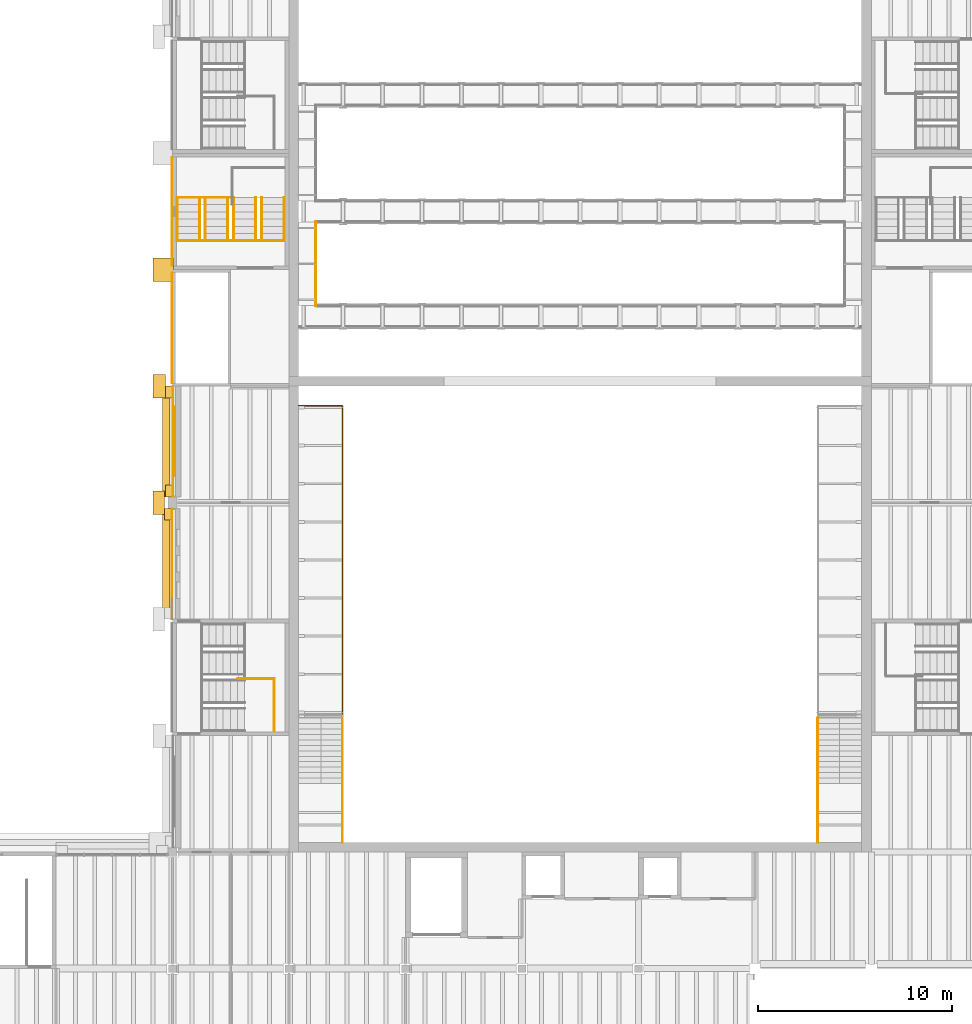
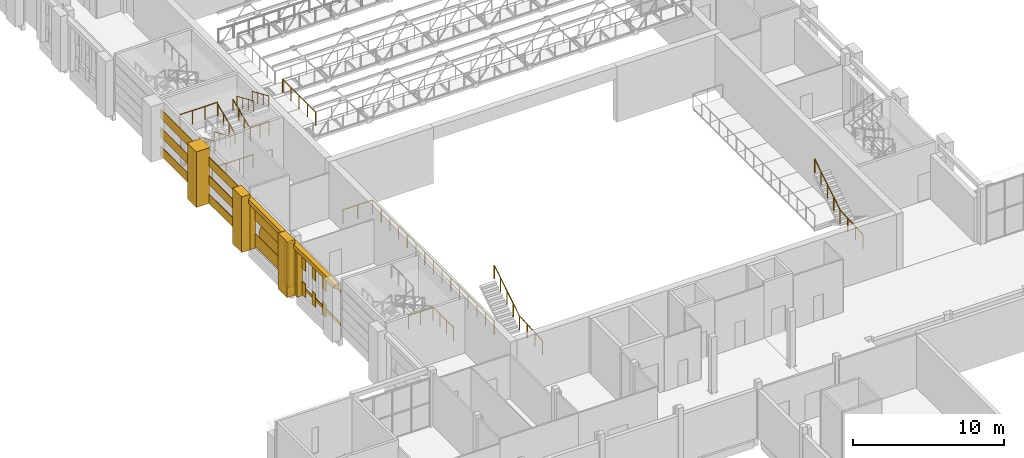
# One storey, part 56 of 70: 25 coverings, 18 railings.
"""IFC4 building model written with IfcOpenShell, lengths in metres."""

import ifcopenshell
import ifcopenshell.guid

model = None  # the IFC model being written
_history = None  # IfcOwnerHistory: only IFC2X3 demands one
_inside = {}  # id of a spatial element -> (the spatial element, [elements in it])
_under = {}  # id of a project, library or spatial element -> (it, [spatial elements below it])
_declared = {}  # id of a project -> (the project, [libraries it declares])
_typed = {}  # id of a type object -> (the type object, [elements of that type])
_made_of = {}  # id of a material, layer set ... -> (it, [elements and type objects made of it])


def new_model(schema):
    """Start an empty IFC model of exactly this schema.

    Asked for "IFC4X3", IfcOpenShell would pick the latest addendum, in which some entities
    have other attributes; the version numbers below select the first issue.
    IFC2X3 requires an IfcOwnerHistory on every rooted entity: one is made here for all.
    """
    global model, _history
    if schema == "IFC4X3":
        model = ifcopenshell.file(schema_version=(4, 3, 0, 0))
    else:
        model = ifcopenshell.file(schema=schema)
    _inside.clear()
    _under.clear()
    _declared.clear()
    _typed.clear()
    _made_of.clear()
    _history = None
    if model.schema == "IFC2X3":
        org = make("IfcOrganization", Name="unknown")
        user = make(
            "IfcPersonAndOrganization",
            ThePerson=make("IfcPerson", FamilyName="unknown"),
            TheOrganization=org,
        )
        app = make(
            "IfcApplication",
            ApplicationDeveloper=org,
            Version="unknown",
            ApplicationFullName="unknown",
            ApplicationIdentifier="unknown",
        )
        _history = make(
            "IfcOwnerHistory",
            OwningUser=user,
            OwningApplication=app,
            ChangeAction="ADDED",
            CreationDate=0,
        )
    return model


def make(cls, **values):
    """One entity of the class cls with the attributes given. An attribute that is None is left unset."""
    return model.create_entity(
        cls, **{name: value for name, value in values.items() if value is not None}
    )


def rooted(cls, **values):
    """An entity with a GlobalId (a new one), such as an element, a storey or a relation."""
    return make(cls, GlobalId=ifcopenshell.guid.new(), OwnerHistory=_history, **values)


def si_unit(unit_type, name, prefix=None):
    """IfcSIUnit, for example si_unit("LENGTHUNIT", "METRE", prefix="MILLI")."""
    return make("IfcSIUnit", UnitType=unit_type, Prefix=prefix, Name=name)


def assignment(units):
    """IfcUnitAssignment: the units of a project."""
    return None if units is None else make("IfcUnitAssignment", Units=units)


def point(xyz):
    """IfcCartesianPoint."""
    return None if xyz is None else make("IfcCartesianPoint", Coordinates=xyz)


def direction(xyz):
    """IfcDirection."""
    return None if xyz is None else make("IfcDirection", DirectionRatios=xyz)


def frame(location, z_axis=None, x_axis=None):
    """IfcAxis2Placement3D, a coordinate frame: its origin and axes. An axis left out is left unset."""
    return make(
        "IfcAxis2Placement3D",
        Location=point(location),
        Axis=direction(z_axis),
        RefDirection=direction(x_axis),
    )


def frame_2d(location, x_axis=None):
    """IfcAxis2Placement2D, a coordinate frame in the plane: its origin and x axis."""
    return make(
        "IfcAxis2Placement2D", Location=point(location), RefDirection=direction(x_axis)
    )


def origin():
    """The frame at (0, 0, 0) with its axes left unset."""
    return frame((0.0, 0.0, 0.0))


def origin_2d():
    """The frame at (0, 0) in the plane with its x axis left unset."""
    return frame_2d((0.0, 0.0))


def place(relative_to, where):
    """IfcLocalPlacement: puts the frame where relative to a parent placement (None: the world)."""
    return make(
        "IfcLocalPlacement", PlacementRelTo=relative_to, RelativePlacement=where
    )


def context(
    kind, dimensions, precision=None, world=None, true_north=None, identifier=None
):
    """IfcGeometricRepresentationContext, for example the 3D "Model" context."""
    return make(
        "IfcGeometricRepresentationContext",
        ContextIdentifier=identifier,
        ContextType=kind,
        CoordinateSpaceDimension=dimensions,
        Precision=precision,
        WorldCoordinateSystem=world,
        TrueNorth=true_north,
    )


def subcontext(parent, identifier, kind, view, scale=None):
    """IfcGeometricRepresentationSubContext, for example "Body" below "Model"."""
    return make(
        "IfcGeometricRepresentationSubContext",
        ContextIdentifier=identifier,
        ContextType=kind,
        ParentContext=parent,
        TargetScale=scale,
        TargetView=view,
    )


def project(units=None, contexts=None):
    """IfcProject with its units and contexts."""
    return rooted(
        "IfcProject",
        Name="project",
        RepresentationContexts=contexts,
        UnitsInContext=assignment(units),
    )


def spatial(cls, under=None, at=None, **own):
    """A site, building, storey or space (cls), placed at a placement, below another one or the project."""
    s = rooted(cls, ObjectPlacement=at, **own)
    if under is not None:
        _under.setdefault(under.id(), (under, []))[1].append(s)
    return s


def polyline(points):
    """IfcPolyline through the points."""
    return make("IfcPolyline", Points=[point(p) for p in points])


def profile(cls, at=None, kind="AREA", **sizes):
    """A parametric profile (cls). Its sizes go by their IFC names, for example OverallWidth=200.0."""
    return make(cls, ProfileType=kind, Position=at, **sizes)


def rectangle(**sizes):
    """IfcRectangleProfileDef."""
    return profile("IfcRectangleProfileDef", **sizes)


def circle(**sizes):
    """IfcCircleProfileDef."""
    return profile("IfcCircleProfileDef", **sizes)


def outline(outer, holes=None, kind="AREA"):
    """IfcArbitraryClosedProfileDef: a profile drawn as a closed curve; with holes, ...WithVoids."""
    if holes is None:
        return make("IfcArbitraryClosedProfileDef", ProfileType=kind, OuterCurve=outer)
    return make(
        "IfcArbitraryProfileDefWithVoids",
        ProfileType=kind,
        OuterCurve=outer,
        InnerCurves=holes,
    )


def extrude(swept, where, along, depth):
    """IfcExtrudedAreaSolid: the profile swept, set in the frame where, extruded along a direction by depth."""
    return make(
        "IfcExtrudedAreaSolid",
        SweptArea=swept,
        Position=where,
        ExtrudedDirection=direction(along),
        Depth=depth,
    )


def shape(context_of_items, identifier, shape_type, items):
    """IfcShapeRepresentation: the items that make up one representation, for example the "Body"."""
    return make(
        "IfcShapeRepresentation",
        ContextOfItems=context_of_items,
        RepresentationIdentifier=identifier,
        RepresentationType=shape_type,
        Items=items,
    )


def material(Name=None, Category=None):
    """IfcMaterial."""
    return make("IfcMaterial", Name=Name, Category=Category)


def layer(
    of_material, thickness, ventilated=None, Name=None, Category=None, Priority=None
):
    """IfcMaterialLayer: one layer of a wall or slab, of a material (None: an air gap)."""
    return make(
        "IfcMaterialLayer",
        Material=of_material,
        LayerThickness=thickness,
        IsVentilated=ventilated,
        Name=Name,
        Category=Category,
        Priority=Priority,
    )


def layer_set(layers, Name=None):
    """IfcMaterialLayerSet."""
    return make("IfcMaterialLayerSet", MaterialLayers=layers, LayerSetName=Name)


def made_of(thing, what):
    """Note that an element or type object is made of a material, layer set ...; save() writes the relation."""
    if what is not None:
        _made_of.setdefault(what.id(), (what, []))[1].append(thing)
    return thing


def type_object(cls, material=None, **own):
    """A type object (cls), such as IfcWallType, which elements share."""
    return made_of(rooted(cls, **own), material)


def element(
    cls,
    number,
    at=None,
    inside=None,
    cuts=None,
    type_object=None,
    material=None,
    context=None,
    identifier="Body",
    shape_type=None,
    held_by="IfcProductDefinitionShape",
    body=None,
    shapes=None,
    **own,
):
    """One element of the class cls, such as IfcWall. Its Tag is "e" and its number.

    at: its placement. inside: the storey or other place that contains it. cuts: it is an
    opening in that element (IfcRelVoidsElement). A single representation is given by context,
    identifier, shape_type and body (its items); several are given by shapes. held_by: the class
    of the entity that holds the representations. save() writes the other relations.
    """
    e = rooted(cls, Tag="e%d" % number, ObjectPlacement=at, **own)
    if body is not None:
        shapes = [shape(context, identifier, shape_type, body)]
    if shapes is not None:
        e.Representation = make(held_by, Representations=shapes)
    if inside is not None:
        _inside.setdefault(inside.id(), (inside, []))[1].append(e)
    if cuts is not None:
        rooted(
            "IfcRelVoidsElement", RelatingBuildingElement=cuts, RelatedOpeningElement=e
        )
    if type_object is not None:
        _typed.setdefault(type_object.id(), (type_object, []))[1].append(e)
    return made_of(e, material)


def aggregate(whole, parts):
    """IfcRelAggregates: a whole, such as a stair, and the parts it consists of."""
    return rooted("IfcRelAggregates", RelatingObject=whole, RelatedObjects=parts)


def save(model, path):
    """Write the relations noted so far, then the file.

    IfcRelAggregates (storeys below a building ...), IfcRelContainedInSpatialStructure (elements
    in a storey), IfcRelDefinesByType, IfcRelAssociatesMaterial and IfcRelDeclares: one each for
    every whole, place, type object, material and project.
    """
    for whole, parts in _under.values():
        aggregate(whole, parts)
    for where, things in _inside.values():
        rooted(
            "IfcRelContainedInSpatialStructure",
            RelatedElements=things,
            RelatingStructure=where,
        )
    for kind, things in _typed.values():
        rooted("IfcRelDefinesByType", RelatedObjects=things, RelatingType=kind)
    for what, things in _made_of.values():
        rooted("IfcRelAssociatesMaterial", RelatedObjects=things, RelatingMaterial=what)
    for by, libraries in _declared.values():
        rooted("IfcRelDeclares", RelatingContext=by, RelatedDefinitions=libraries)
    model.write(path)


model = new_model("IFC4")

# Units and contexts
model_context = context("Model", 3, precision=1e-05, world=origin(), true_north=direction((0.0, 1.0)))
body_context = subcontext(model_context, "Body", "Model", "MODEL_VIEW")
ifc_project = project(units=[si_unit("LENGTHUNIT", "METRE"), si_unit("AREAUNIT", "SQUARE_METRE"), si_unit("VOLUMEUNIT", "CUBIC_METRE"), si_unit("PLANEANGLEUNIT", "RADIAN"), si_unit("MASSUNIT", "GRAM", prefix="KILO")], contexts=[model_context])

# Site, building, storey
site_placement = place(None, origin())
site = spatial("IfcSite", under=ifc_project, at=site_placement, CompositionType="ELEMENT")
building_placement = place(site_placement, origin())
building = spatial("IfcBuilding", under=site, at=building_placement, Name="Saffron Lane Theatres", CompositionType="ELEMENT")
storey_placement = place(building_placement, frame((0.0, 0.0, 12.0)))
storey = spatial("IfcBuildingStorey", under=building, at=storey_placement, Name="L02", CompositionType="ELEMENT", Elevation=12.0)

# Coverings
ifc_material_1 = material(Name="Masonry pale clay brick", Category="masonry")
ifc_layer_1 = layer(ifc_material_1, 0.050048828125)
ifc_layer_set_1 = layer_set([ifc_layer_1], Name="Masonry pale clay brick")
covering_type_1 = type_object("IfcCoveringType", Name="EX-ARCH PANEL BRICK 50", PredefinedType="CLADDING", material=ifc_layer_set_1)
covering_1_placement = place(storey_placement, frame((12.10009765625, 49.35009765625, 1.199951171875), z_axis=(1.0, 0.0, 0.0), x_axis=(0.0, 0.0, -1.0)))
element("IfcCovering", 1, at=covering_1_placement, inside=storey, type_object=covering_type_1, Name="Blind arch panel 12", PredefinedType="CLADDING", context=body_context, shape_type="SweptSolid", body=[
    extrude(outline(polyline([(0.0, 0.0), (0.89990234375, 0.0), (0.89990234375, 3.599853515625), (0.0, 3.599853515625), (-0.28515625, 3.577880859375), (-0.56201171875, 3.512939453125), (-0.8271484375, 3.40478515625), (-1.071044921875, 3.2578125), (-1.291015625, 3.075927734375), (-1.47900390625, 2.86181640625), (-1.633056640625, 2.620849609375), (-1.7470703125, 2.35986328125), (-1.820068359375, 2.083984375), (-1.85009765625, 1.7998046875), (-1.820068359375, 1.515869140625), (-1.7470703125, 1.239990234375), (-1.633056640625, 0.97900390625), (-1.47900390625, 0.73779296875), (-1.291015625, 0.52392578125), (-1.071044921875, 0.341796875), (-0.8271484375, 0.19482421875), (-0.56201171875, 0.0869140625), (-0.28515625, 0.02197265625), (0.0, 0.0)])), origin(), (0.0, 0.0, -1.0), 0.050048828125),
])
ifc_material_2 = material(Name="Masonry sandstone", Category="masonry")
ifc_layer_2 = layer(ifc_material_2, 0.0400390625)
ifc_layer_set_2 = layer_set([ifc_layer_2], Name="Masonry sandstone")
covering_type_2 = type_object("IfcCoveringType", Name="EX-BANDING COURSE SANDSTONE 40", PredefinedType="CLADDING", material=ifc_layer_set_2)
for number, where, z_axis, x_axis, name in (
    (2, (11.97998046875, 63.0, 0.0), (0.0, 0.0, 1.0), (0.0, 1.0, 0.0), "Banding course L02"),
    (3, (11.97998046875, 63.0, 1.5), (0.0, 0.0, 1.0), (0.0, 1.0, 0.0), "Banding course L02"),
    (4, (11.97998046875, 63.0, 3.0), (0.0, 0.0, 1.0), (0.0, 1.0, 0.0), "Banding course L02"),
):
    element("IfcCovering", number, at=place(storey_placement, frame(where, z_axis=z_axis, x_axis=x_axis)), inside=storey, type_object=covering_type_2, Name=name, PredefinedType="CLADDING", context=body_context, shape_type="SweptSolid", body=[
        extrude(rectangle(XDim=5.60009765625, YDim=0.0400390625, at=origin_2d()), origin(), (0.0, 0.0, 1.0), 0.75),
    ])
for number, where, z_axis, x_axis, name in (
    (5, (11.97998046875, 57.0, 0.0), (0.0, 0.0, 1.0), (0.0, 1.0, 0.0), "Banding course L02"),
    (6, (11.97998046875, 57.0, 1.5), (0.0, 0.0, 1.0), (0.0, 1.0, 0.0), "Banding course L02"),
    (7, (11.97998046875, 57.0, 3.0), (0.0, 0.0, 1.0), (0.0, 1.0, 0.0), "Banding course L02"),
):
    element("IfcCovering", number, at=place(storey_placement, frame(where, z_axis=z_axis, x_axis=x_axis)), inside=storey, type_object=covering_type_2, Name=name, PredefinedType="CLADDING", context=body_context, shape_type="SweptSolid", body=[
        extrude(rectangle(XDim=5.699951171875, YDim=0.0400390625, at=origin_2d()), origin(), (0.0, 0.0, 1.0), 0.75),
    ])
ifc_material_3 = material(Name="Face brick cladding, pale buff", Category="masonry")
ifc_layer_3 = layer(ifc_material_3, 0.0400390625)
ifc_layer_set_3 = layer_set([ifc_layer_3], Name="Face brick cladding, pale buff")
covering_type_3 = type_object("IfcCoveringType", Name="EX-FACE BRICK CLADDING PALE BUFF 40", PredefinedType="CLADDING", material=ifc_layer_set_3)
for number, where, z_axis, x_axis, name in (
    (8, (11.97998046875, 44.175048828125, 0.14990234375), (0.0, 0.0, 1.0), (0.0, 1.0, 0.0), "Cladding course L02"),
    (9, (11.97998046875, 45.52490234375, 0.14990234375), (0.0, 0.0, 1.0), (0.0, 1.0, 0.0), "Cladding course L02"),
):
    element("IfcCovering", number, at=place(storey_placement, frame(where, z_axis=z_axis, x_axis=x_axis)), inside=storey, type_object=covering_type_3, Name=name, PredefinedType="CLADDING", context=body_context, shape_type="SweptSolid", body=[
        extrude(rectangle(XDim=0.4599609375, YDim=0.0400390625, at=origin_2d()), origin(), (0.0, 0.0, 1.0), 1.050048828125),
    ])
covering_2_placement = place(storey_placement, frame((11.97998046875, 47.172119140625, 0.14990234375), z_axis=(0.0, 0.0, 1.0), x_axis=(0.0, 1.0, 0.0)))
element("IfcCovering", 10, at=covering_2_placement, inside=storey, type_object=covering_type_3, Name="Cladding course L02", PredefinedType="CLADDING", context=body_context, shape_type="SweptSolid", body=[
    extrude(rectangle(XDim=1.054931640625, YDim=0.0400390625, at=origin_2d()), origin(), (0.0, 0.0, 1.0), 1.050048828125),
])
for number, where, z_axis, x_axis, name in (
    (11, (11.97998046875, 44.175048828125, 2.25), (0.0, 0.0, 1.0), (0.0, 1.0, 0.0), "Cladding course L02"),
    (12, (11.97998046875, 45.52490234375, 2.25), (0.0, 0.0, 1.0), (0.0, 1.0, 0.0), "Cladding course L02"),
):
    element("IfcCovering", number, at=place(storey_placement, frame(where, z_axis=z_axis, x_axis=x_axis)), inside=storey, type_object=covering_type_3, Name=name, PredefinedType="CLADDING", context=body_context, shape_type="SweptSolid", body=[
        extrude(rectangle(XDim=0.4599609375, YDim=0.0400390625, at=origin_2d()), origin(), (0.0, 0.0, 1.0), 1.050048828125),
    ])
covering_3_placement = place(storey_placement, frame((11.97998046875, 47.172119140625, 2.25), z_axis=(0.0, 0.0, 1.0), x_axis=(0.0, 1.0, 0.0)))
element("IfcCovering", 13, at=covering_3_placement, inside=storey, type_object=covering_type_3, Name="Cladding course L02", PredefinedType="CLADDING", context=body_context, shape_type="SweptSolid", body=[
    extrude(rectangle(XDim=1.054931640625, YDim=0.0400390625, at=origin_2d()), origin(), (0.0, 0.0, 1.0), 1.050048828125),
])
for number, where, z_axis, x_axis, name in (
    (14, (12.030029296875, 51.14990234375, 0.14990234375), (0.0, 0.0, 1.0), (0.0, 1.0, 0.0), "Cladding course L02"),
    (15, (12.030029296875, 51.14990234375, 2.25), (0.0, 0.0, 1.0), (0.0, 1.0, 0.0), "Cladding course L02"),
):
    element("IfcCovering", number, at=place(storey_placement, frame(where, z_axis=z_axis, x_axis=x_axis)), inside=storey, type_object=covering_type_3, Name=name, PredefinedType="CLADDING", context=body_context, shape_type="SweptSolid", body=[
        extrude(rectangle(XDim=5.699951171875, YDim=0.0400390625, at=origin_2d()), origin(), (0.0, 0.0, 1.0), 1.050048828125),
    ])
ifc_material_4 = material(Name="Masonry sandstone", Category="masonry")
ifc_layer_4 = layer(ifc_material_4, 1.199951171875)
ifc_layer_set_4 = layer_set([ifc_layer_4], Name="Masonry sandstone")
covering_type_4 = type_object("IfcCoveringType", Name="EX-FLANK BUTTRESS PIER SANDSTONE 1200", PredefinedType="CLADDING", material=ifc_layer_set_4)
covering_4_placement = place(storey_placement, frame((11.300048828125, 48.0, 0.0), z_axis=(0.0, 0.0, 1.0), x_axis=(0.0, 1.0, 0.0)))
element("IfcCovering", 16, at=covering_4_placement, inside=storey, type_object=covering_type_4, Name="Flank buttress west L02", PredefinedType="CLADDING", context=body_context, shape_type="SweptSolid", body=[
    extrude(rectangle(XDim=1.199951171875, YDim=0.60009765625, at=origin_2d()), origin(), (0.0, 0.0, 1.0), 4.5),
])
covering_5_placement = place(storey_placement, frame((11.324951171875, 54.0, 0.0), z_axis=(0.0, 0.0, 1.0), x_axis=(0.0, 1.0, 0.0)))
element("IfcCovering", 17, at=covering_5_placement, inside=storey, type_object=covering_type_4, Name="Flank buttress west L02", PredefinedType="CLADDING", context=body_context, shape_type="SweptSolid", body=[
    extrude(rectangle(XDim=1.199951171875, YDim=0.64990234375, at=origin_2d()), origin(), (0.0, 0.0, 1.0), 4.5),
])
covering_6_placement = place(storey_placement, frame((11.52490234375, 60.0, 0.0), z_axis=(0.0, 0.0, 1.0), x_axis=(0.0, 1.0, 0.0)))
element("IfcCovering", 18, at=covering_6_placement, inside=storey, type_object=covering_type_4, Name="Flank buttress west L02", PredefinedType="CLADDING", context=body_context, shape_type="SweptSolid", body=[
    extrude(rectangle(XDim=1.199951171875, YDim=1.050048828125, at=origin_2d()), origin(), (0.0, 0.0, 1.0), 4.5),
])
ifc_material_5 = material(Name="Masonry sandstone", Category="masonry")
ifc_layer_5 = layer(ifc_material_5, 0.0400390625)
ifc_layer_set_5 = layer_set([ifc_layer_5], Name="Masonry sandstone")
covering_type_5 = type_object("IfcCoveringType", Name="EX-HEAD COURSE SANDSTONE 150", PredefinedType="CLADDING", material=ifc_layer_set_5)
covering_7_placement = place(storey_placement, frame((11.97998046875, 44.85009765625, 3.35009765625), z_axis=(0.0, 0.0, 1.0), x_axis=(0.0, 1.0, 0.0)))
element("IfcCovering", 19, at=covering_7_placement, inside=storey, type_object=covering_type_5, Name="Facade head course L02", PredefinedType="CLADDING", context=body_context, shape_type="SweptSolid", body=[
    extrude(rectangle(XDim=5.699951171875, YDim=0.0400390625, at=origin_2d()), origin(), (0.0, 0.0, 1.0), 0.14990234375),
])
ifc_material_6 = material(Name="Masonry sandstone", Category="masonry")
ifc_layer_6 = layer(ifc_material_6, 0.39990234375)
ifc_layer_set_6 = layer_set([ifc_layer_6], Name="Masonry sandstone")
covering_type_6 = type_object("IfcCoveringType", Name="EX-PILASTER PIER SANDSTONE 400", PredefinedType="CLADDING", material=ifc_layer_set_6)
for number, where, z_axis, x_axis, name in (
    (20, (11.800048828125, 47.39990234375, 0.0), (0.0, 0.0, 1.0), (0.0, 1.0, 0.0), "Pilaster pier L02"),
    (21, (11.85009765625, 48.60009765625, 0.0), (0.0, 0.0, 1.0), (0.0, 1.0, 0.0), "Pilaster pier L02"),
    (22, (11.85009765625, 53.699951171875, 0.0), (0.0, 0.0, 1.0), (0.0, 1.0, 0.0), "Pilaster pier L02"),
):
    element("IfcCovering", number, at=place(storey_placement, frame(where, z_axis=z_axis, x_axis=x_axis)), inside=storey, type_object=covering_type_6, Name=name, PredefinedType="CLADDING", context=body_context, shape_type="SweptSolid", body=[
        extrude(rectangle(XDim=0.60009765625, YDim=0.39990234375, at=origin_2d()), origin(), (0.0, 0.0, 1.0), 3.550048828125),
    ])
ifc_material_7 = material(Name="Masonry sandstone", Category="masonry")
ifc_layer_7 = layer(ifc_material_7, 0.0400390625)
ifc_layer_set_7 = layer_set([ifc_layer_7], Name="Masonry sandstone")
covering_type_7 = type_object("IfcCoveringType", Name="EX-SILL COURSE SANDSTONE 250", PredefinedType="CLADDING", material=ifc_layer_set_7)
covering_8_placement = place(storey_placement, frame((11.97998046875, 44.85009765625, 0.64990234375), z_axis=(0.0, 0.0, 1.0), x_axis=(0.0, 1.0, 0.0)))
element("IfcCovering", 23, at=covering_8_placement, inside=storey, type_object=covering_type_7, Name="Facade sill course L02", PredefinedType="CLADDING", context=body_context, shape_type="SweptSolid", body=[
    extrude(rectangle(XDim=5.699951171875, YDim=0.0400390625, at=origin_2d()), origin(), (0.0, 0.0, 1.0), 0.25),
])
ifc_material_8 = material(Name="Masonry sandstone", Category="masonry")
ifc_layer_8 = layer(ifc_material_8, 0.300048828125)
ifc_layer_set_8 = layer_set([ifc_layer_8], Name="Masonry sandstone")
covering_type_8 = type_object("IfcCoveringType", Name="EX-STRING COURSE SANDSTONE 350", PredefinedType="CLADDING", material=ifc_layer_set_8)
for number, where, z_axis, x_axis, name in (
    (24, (11.675048828125, 44.85009765625, 3.800048828125), (0.0, 0.0, 1.0), (0.0, 1.0, 0.0), "String course L02"),
    (25, (11.675048828125, 51.14990234375, 3.800048828125), (0.0, 0.0, 1.0), (0.0, 1.0, 0.0), "String course L02"),
):
    element("IfcCovering", number, at=place(storey_placement, frame(where, z_axis=z_axis, x_axis=x_axis)), inside=storey, type_object=covering_type_8, Name=name, PredefinedType="CLADDING", context=body_context, shape_type="SweptSolid", body=[
        extrude(rectangle(XDim=5.699951171875, YDim=0.35009765625, at=origin_2d()), origin(), (0.0, 0.0, 1.0), 0.35009765625),
    ])

# Railings
ifc_material_9 = material(Name="Steel Grade 350", Category="steel")
railing_type_1 = type_object("IfcRailingType", Name="VC-GUARD 1100", PredefinedType="GUARDRAIL", material=ifc_material_9)
railing_1_placement = place(storey_placement, frame((12.22998046875, 63.719970703125, 3.375)))
element("IfcRailing", 26, at=railing_1_placement, inside=storey, type_object=railing_type_1, Name="Auditorium West Front Stair landing guard 3N2s", PredefinedType="GUARDRAIL", context=body_context, shape_type="SweptSolid", body=[
    extrude(circle(Radius=0.02392578125, at=origin_2d()), frame((0.0, 0.0, 1.076171875), z_axis=(1.0, 0.0, 0.0), x_axis=(0.0, 1.0, 0.0)), (0.0, 0.0, 1.0), 2.8701171875),
    extrude(circle(Radius=0.02099609375, at=origin_2d()), origin(), (0.0, 0.0, 1.0), 1.052001953125),
    extrude(circle(Radius=0.02099609375, at=origin_2d()), frame((0.956787109375, 0.0, 0.0)), (0.0, 0.0, 1.0), 1.052001953125),
    extrude(circle(Radius=0.02099609375, at=origin_2d()), frame((1.913330078125, 0.0, 0.0)), (0.0, 0.0, 1.0), 1.052001953125),
    extrude(circle(Radius=0.02099609375, at=origin_2d()), frame((2.8701171875, 0.0, 0.0)), (0.0, 0.0, 1.0), 1.052001953125),
])
railing_2_placement = place(storey_placement, frame((12.22998046875, 61.5, 2.25)))
element("IfcRailing", 27, at=railing_2_placement, inside=storey, type_object=railing_type_1, Name="Auditorium West Front Stair landing guard 3S2w", PredefinedType="GUARDRAIL", context=body_context, shape_type="SweptSolid", body=[
    extrude(circle(Radius=0.02392578125, at=origin_2d()), frame((0.0, 0.0, 1.076171875), z_axis=(1.0, 0.0, 0.0), x_axis=(0.0, 1.0, 0.0)), (0.0, 0.0, 1.0), 1.320068359375),
    extrude(circle(Radius=0.02099609375, at=origin_2d()), origin(), (0.0, 0.0, 1.0), 1.052001953125),
    extrude(circle(Radius=0.02099609375, at=origin_2d()), frame((0.66015625, 0.0, 0.0)), (0.0, 0.0, 1.0), 1.052001953125),
    extrude(circle(Radius=0.02099609375, at=origin_2d()), frame((1.320068359375, 0.0, 0.0)), (0.0, 0.0, 1.0), 1.052001953125),
])
railing_3_placement = place(storey_placement, frame((16.35009765625, 61.5, 2.25)))
element("IfcRailing", 28, at=railing_3_placement, inside=storey, type_object=railing_type_1, Name="Auditorium West Front Stair landing guard 3S2e", PredefinedType="GUARDRAIL", context=body_context, shape_type="SweptSolid", body=[
    extrude(circle(Radius=0.02392578125, at=origin_2d()), frame((0.0, 0.0, 1.076171875), z_axis=(1.0, 0.0, 0.0), x_axis=(0.0, 1.0, 0.0)), (0.0, 0.0, 1.0), 1.419921875),
    extrude(circle(Radius=0.02099609375, at=origin_2d()), origin(), (0.0, 0.0, 1.0), 1.052001953125),
    extrude(circle(Radius=0.02099609375, at=origin_2d()), frame((0.7099609375, 0.0, 0.0)), (0.0, 0.0, 1.0), 1.052001953125),
    extrude(circle(Radius=0.02099609375, at=origin_2d()), frame((1.419921875, 0.0, 0.0)), (0.0, 0.0, 1.0), 1.052001953125),
])
railing_4_placement = place(storey_placement, frame((13.449951171875, 61.5, 0.0)))
element("IfcRailing", 29, at=railing_4_placement, inside=storey, type_object=railing_type_1, Name="Auditorium West Front Stair guard L02", PredefinedType="GUARDRAIL", context=body_context, shape_type="SweptSolid", body=[
    extrude(circle(Radius=0.02392578125, at=origin_2d()), frame((0.0, 0.0, 1.076171875), z_axis=(1.0, 0.0, 0.0), x_axis=(0.0, 1.0, 0.0)), (0.0, 0.0, 1.0), 3.10009765625),
    extrude(circle(Radius=0.02099609375, at=origin_2d()), origin(), (0.0, 0.0, 1.0), 1.052001953125),
    extrude(circle(Radius=0.02099609375, at=origin_2d()), frame((1.033447265625, 0.0, 0.0)), (0.0, 0.0, 1.0), 1.052001953125),
    extrude(circle(Radius=0.02099609375, at=origin_2d()), frame((2.066650390625, 0.0, 0.0)), (0.0, 0.0, 1.0), 1.052001953125),
    extrude(circle(Radius=0.02099609375, at=origin_2d()), frame((3.10009765625, 0.0, 0.0)), (0.0, 0.0, 1.0), 1.052001953125),
])
railing_5_placement = place(storey_placement, frame((17.25, 38.89990234375, 1.125)))
element("IfcRailing", 30, at=railing_5_placement, inside=storey, type_object=railing_type_1, Name="Stage West Stair landing guard 3N1s", PredefinedType="GUARDRAIL", context=body_context, shape_type="SweptSolid", body=[
    extrude(circle(Radius=0.02392578125, at=origin_2d()), frame((0.0, 0.0, 1.076171875), z_axis=(0.0, -1.0, 0.0), x_axis=(1.0, 0.0, 0.0)), (0.0, 0.0, 1.0), 2.669921875),
    extrude(circle(Radius=0.02099609375, at=origin_2d()), origin(), (0.0, 0.0, 1.0), 1.052001953125),
    extrude(circle(Radius=0.02099609375, at=origin_2d()), frame((0.0, -0.889892578125, 0.0)), (0.0, 0.0, 1.0), 1.052001953125),
    extrude(circle(Radius=0.02099609375, at=origin_2d()), frame((0.0, -1.780029296875, 0.0)), (0.0, 0.0, 1.0), 1.052001953125),
    extrude(circle(Radius=0.02099609375, at=origin_2d()), frame((0.0, -2.669921875, 0.0)), (0.0, 0.0, 1.0), 1.052001953125),
])
railing_6_placement = place(storey_placement, frame((15.3701171875, 38.929931640625, 1.125)))
element("IfcRailing", 31, at=railing_6_placement, inside=storey, type_object=railing_type_1, Name="Stage West Stair landing guard 3N1e", PredefinedType="GUARDRAIL", context=body_context, shape_type="SweptSolid", body=[
    extrude(circle(Radius=0.02392578125, at=origin_2d()), frame((0.0, 0.0, 1.076171875), z_axis=(1.0, 0.0, 0.0), x_axis=(0.0, 1.0, 0.0)), (0.0, 0.0, 1.0), 1.8798828125),
    extrude(circle(Radius=0.02099609375, at=origin_2d()), origin(), (0.0, 0.0, 1.0), 1.052001953125),
    extrude(circle(Radius=0.02099609375, at=origin_2d()), frame((0.93994140625, 0.0, 0.0)), (0.0, 0.0, 1.0), 1.052001953125),
    extrude(circle(Radius=0.02099609375, at=origin_2d()), frame((1.8798828125, 0.0, 0.0)), (0.0, 0.0, 1.0), 1.052001953125),
])
ifc_material_10 = material(Name="Steel Grade 350", Category="steel")
railing_type_2 = type_object("IfcRailingType", Name="VC-HANDRAIL 900", PredefinedType="HANDRAIL", material=ifc_material_10)
for number, where, name in (
    (32, (12.25, 61.5, 0.16064453125), "Auditorium West Front Stair handrail 3.1a"),
    (33, (13.39990234375, 61.5, 0.16064453125), "Auditorium West Front Stair handrail 3.1b"),
):
    element("IfcRailing", number, at=place(storey_placement, frame(where)), inside=storey, type_object=railing_type_2, Name=name, PredefinedType="HANDRAIL", context=body_context, shape_type="SweptSolid", body=[
        extrude(circle(Radius=0.02392578125, at=origin_2d()), frame((0.0, 0.0, 0.8759765625), z_axis=(0.0, 0.917161435653, 0.398515872898), x_axis=(-1.0, 0.0, 0.0)), (0.0, 0.0, 1.0), 0.806884765625),
        extrude(circle(Radius=0.02392578125, at=origin_2d()), frame((0.0, 0.739990234375, 1.197265625), z_axis=(0.0, 0.917272012673, 0.398261289567), x_axis=(-1.0, 0.0, 0.0)), (0.0, 0.0, 1.0), 0.806640625),
        extrude(circle(Radius=0.02392578125, at=origin_2d()), frame((0.0, 1.47998046875, 1.5185546875), z_axis=(0.0, 0.917161435653, 0.398515872898), x_axis=(-1.0, 0.0, 0.0)), (0.0, 0.0, 1.0), 0.806884765625),
        extrude(circle(Radius=0.02099609375, at=origin_2d()), origin(), (0.0, 0.0, 1.0), 0.851806640625),
        extrude(circle(Radius=0.02099609375, at=origin_2d()), frame((0.0, 0.739990234375, 0.321533203125)), (0.0, 0.0, 1.0), 0.851806640625),
        extrude(circle(Radius=0.02099609375, at=origin_2d()), frame((0.0, 1.47998046875, 0.642822265625)), (0.0, 0.0, 1.0), 0.851806640625),
        extrude(circle(Radius=0.02099609375, at=origin_2d()), frame((0.0, 2.219970703125, 0.96435546875)), (0.0, 0.0, 1.0), 0.851806640625),
    ])
for number, where, name in (
    (34, (13.699951171875, 63.719970703125, 1.28564453125), "Auditorium West Front Stair handrail 3.2a"),
    (35, (14.85009765625, 63.719970703125, 1.28564453125), "Auditorium West Front Stair handrail 3.2b"),
):
    element("IfcRailing", number, at=place(storey_placement, frame(where)), inside=storey, type_object=railing_type_2, Name=name, PredefinedType="HANDRAIL", context=body_context, shape_type="SweptSolid", body=[
        extrude(circle(Radius=0.02392578125, at=origin_2d()), frame((0.0, 0.0, 0.8759765625), z_axis=(0.0, -0.917161435653, 0.398515872898), x_axis=(1.0, 0.0, 0.0)), (0.0, 0.0, 1.0), 0.806884765625),
        extrude(circle(Radius=0.02392578125, at=origin_2d()), frame((0.0, -0.739990234375, 1.197265625), z_axis=(0.0, -0.917272012673, 0.398261289567), x_axis=(1.0, 0.0, 0.0)), (0.0, 0.0, 1.0), 0.806640625),
        extrude(circle(Radius=0.02392578125, at=origin_2d()), frame((0.0, -1.47998046875, 1.5185546875), z_axis=(0.0, -0.917161435653, 0.398515872898), x_axis=(1.0, 0.0, 0.0)), (0.0, 0.0, 1.0), 0.806884765625),
        extrude(circle(Radius=0.02099609375, at=origin_2d()), origin(), (0.0, 0.0, 1.0), 0.851806640625),
        extrude(circle(Radius=0.02099609375, at=origin_2d()), frame((0.0, -0.739990234375, 0.321533203125)), (0.0, 0.0, 1.0), 0.851806640625),
        extrude(circle(Radius=0.02099609375, at=origin_2d()), frame((0.0, -1.47998046875, 0.642822265625)), (0.0, 0.0, 1.0), 0.851806640625),
        extrude(circle(Radius=0.02099609375, at=origin_2d()), frame((0.0, -2.219970703125, 0.96435546875)), (0.0, 0.0, 1.0), 0.851806640625),
    ])
for number, where, name in (
    (36, (15.14990234375, 61.5, 2.41064453125), "Auditorium West Front Stair handrail 3.3a"),
    (37, (16.300048828125, 61.5, 2.41064453125), "Auditorium West Front Stair handrail 3.3b"),
):
    element("IfcRailing", number, at=place(storey_placement, frame(where)), inside=storey, type_object=railing_type_2, Name=name, PredefinedType="HANDRAIL", context=body_context, shape_type="SweptSolid", body=[
        extrude(circle(Radius=0.02392578125, at=origin_2d()), frame((0.0, 0.0, 0.8759765625), z_axis=(0.0, 0.917161435653, 0.398515872898), x_axis=(-1.0, 0.0, 0.0)), (0.0, 0.0, 1.0), 0.806884765625),
        extrude(circle(Radius=0.02392578125, at=origin_2d()), frame((0.0, 0.739990234375, 1.197265625), z_axis=(0.0, 0.917272012673, 0.398261289567), x_axis=(-1.0, 0.0, 0.0)), (0.0, 0.0, 1.0), 0.806640625),
        extrude(circle(Radius=0.02392578125, at=origin_2d()), frame((0.0, 1.47998046875, 1.5185546875), z_axis=(0.0, 0.917161435653, 0.398515872898), x_axis=(-1.0, 0.0, 0.0)), (0.0, 0.0, 1.0), 0.806884765625),
        extrude(circle(Radius=0.02099609375, at=origin_2d()), origin(), (0.0, 0.0, 1.0), 0.851806640625),
        extrude(circle(Radius=0.02099609375, at=origin_2d()), frame((0.0, 0.739990234375, 0.321533203125)), (0.0, 0.0, 1.0), 0.851806640625),
        extrude(circle(Radius=0.02099609375, at=origin_2d()), frame((0.0, 1.47998046875, 0.642822265625)), (0.0, 0.0, 1.0), 0.851806640625),
        extrude(circle(Radius=0.02099609375, at=origin_2d()), frame((0.0, 2.219970703125, 0.96435546875)), (0.0, 0.0, 1.0), 0.851806640625),
    ])
for number, where, name in (
    (38, (16.60009765625, 63.719970703125, 3.53564453125), "Auditorium West Front Stair handrail 3.4a"),
    (39, (17.75, 63.719970703125, 3.53564453125), "Auditorium West Front Stair handrail 3.4b"),
):
    element("IfcRailing", number, at=place(storey_placement, frame(where)), inside=storey, type_object=railing_type_2, Name=name, PredefinedType="HANDRAIL", context=body_context, shape_type="SweptSolid", body=[
        extrude(circle(Radius=0.02392578125, at=origin_2d()), frame((0.0, 0.0, 0.8759765625), z_axis=(0.0, -0.917161435653, 0.398515872898), x_axis=(1.0, 0.0, 0.0)), (0.0, 0.0, 1.0), 0.806884765625),
        extrude(circle(Radius=0.02392578125, at=origin_2d()), frame((0.0, -0.739990234375, 1.197265625), z_axis=(0.0, -0.917272012673, 0.398261289567), x_axis=(1.0, 0.0, 0.0)), (0.0, 0.0, 1.0), 0.806640625),
        extrude(circle(Radius=0.02392578125, at=origin_2d()), frame((0.0, -1.47998046875, 1.5185546875), z_axis=(0.0, -0.917161435653, 0.398515872898), x_axis=(1.0, 0.0, 0.0)), (0.0, 0.0, 1.0), 0.806884765625),
        extrude(circle(Radius=0.02099609375, at=origin_2d()), origin(), (0.0, 0.0, 1.0), 0.851806640625),
        extrude(circle(Radius=0.02099609375, at=origin_2d()), frame((0.0, -0.739990234375, 0.321533203125)), (0.0, 0.0, 1.0), 0.851806640625),
        extrude(circle(Radius=0.02099609375, at=origin_2d()), frame((0.0, -1.47998046875, 0.642822265625)), (0.0, 0.0, 1.0), 0.851806640625),
        extrude(circle(Radius=0.02099609375, at=origin_2d()), frame((0.0, -2.219970703125, 0.96435546875)), (0.0, 0.0, 1.0), 0.851806640625),
    ])
railing_7_placement = place(storey_placement, frame((20.760009765625, 36.89990234375, 0.0)))
element("IfcRailing", 40, at=railing_7_placement, inside=storey, Name="FRW12", PredefinedType="GUARDRAIL", context=body_context, shape_type="SweptSolid", body=[
    extrude(circle(Radius=0.02392578125, at=origin_2d()), frame((0.0, 0.0, 1.076171875), z_axis=(0.0, 1.0, 0.0), x_axis=(-1.0, 0.0, 0.0)), (0.0, 0.0, 1.0), 16.10009765625),
    extrude(circle(Radius=0.02392578125, at=origin_2d()), frame((0.0, 16.10009765625, 1.076171875), z_axis=(-1.0, 0.0, 0.0), x_axis=(0.0, -1.0, 0.0)), (0.0, 0.0, 1.0), 2.260009765625),
    extrude(circle(Radius=0.02099609375, at=origin_2d()), origin(), (0.0, 0.0, 1.0), 1.052001953125),
    extrude(circle(Radius=0.02099609375, at=origin_2d()), frame((0.0, 1.14990234375, 0.0)), (0.0, 0.0, 1.0), 1.052001953125),
    extrude(circle(Radius=0.02099609375, at=origin_2d()), frame((0.0, 2.300048828125, 0.0)), (0.0, 0.0, 1.0), 1.052001953125),
    extrude(circle(Radius=0.02099609375, at=origin_2d()), frame((0.0, 3.449951171875, 0.0)), (0.0, 0.0, 1.0), 1.052001953125),
    extrude(circle(Radius=0.02099609375, at=origin_2d()), frame((0.0, 4.60009765625, 0.0)), (0.0, 0.0, 1.0), 1.052001953125),
    extrude(circle(Radius=0.02099609375, at=origin_2d()), frame((0.0, 5.75, 0.0)), (0.0, 0.0, 1.0), 1.052001953125),
    extrude(circle(Radius=0.02099609375, at=origin_2d()), frame((0.0, 6.900146484375, 0.0)), (0.0, 0.0, 1.0), 1.052001953125),
    extrude(circle(Radius=0.02099609375, at=origin_2d()), frame((0.0, 8.050048828125, 0.0)), (0.0, 0.0, 1.0), 1.052001953125),
    extrude(circle(Radius=0.02099609375, at=origin_2d()), frame((0.0, 9.199951171875, 0.0)), (0.0, 0.0, 1.0), 1.052001953125),
    extrude(circle(Radius=0.02099609375, at=origin_2d()), frame((0.0, 10.35009765625, 0.0)), (0.0, 0.0, 1.0), 1.052001953125),
    extrude(circle(Radius=0.02099609375, at=origin_2d()), frame((0.0, 11.5, 0.0)), (0.0, 0.0, 1.0), 1.052001953125),
    extrude(circle(Radius=0.02099609375, at=origin_2d()), frame((0.0, 12.650146484375, 0.0)), (0.0, 0.0, 1.0), 1.052001953125),
    extrude(circle(Radius=0.02099609375, at=origin_2d()), frame((0.0, 13.800048828125, 0.0)), (0.0, 0.0, 1.0), 1.052001953125),
    extrude(circle(Radius=0.02099609375, at=origin_2d()), frame((0.0, 14.9501953125, 0.0)), (0.0, 0.0, 1.0), 1.052001953125),
    extrude(circle(Radius=0.02099609375, at=origin_2d()), frame((0.0, 16.10009765625, 0.0)), (0.0, 0.0, 1.0), 1.052001953125),
    extrude(circle(Radius=0.02099609375, at=origin_2d()), frame((-1.1298828125, 16.10009765625, 0.0)), (0.0, 0.0, 1.0), 1.052001953125),
    extrude(circle(Radius=0.02099609375, at=origin_2d()), frame((-2.260009765625, 16.10009765625, 0.0)), (0.0, 0.0, 1.0), 1.052001953125),
])
for number, where, name in (
    (41, (20.760009765625, 30.5, 2.25), "FHW12"),
    (42, (45.239990234375, 30.5, 2.25), "FHE12"),
):
    element("IfcRailing", number, at=place(storey_placement, frame(where)), inside=storey, Name=name, PredefinedType="HANDRAIL", context=body_context, shape_type="SweptSolid", body=[
        extrude(circle(Radius=0.02392578125, at=origin_2d()), frame((0.0, 0.0, 1.076171875), z_axis=(0.0, 0.998382926253, 0.056846570407), x_axis=(-1.0, 0.0, 0.0)), (0.0, 0.0, 1.0), 3.044921875),
        extrude(circle(Radius=0.02392578125, at=origin_2d()), frame((0.0, 3.0400390625, 1.2490234375), z_axis=(0.0, 0.850606129759, 0.525803396734), x_axis=(-1.0, 0.0, 0.0)), (0.0, 0.0, 1.0), 3.949951171875),
        extrude(circle(Radius=0.02099609375, at=origin_2d()), origin(), (0.0, 0.0, 1.0), 1.052001953125),
        extrude(circle(Radius=0.02099609375, at=origin_2d()), frame((0.0, 1.013427734375, 0.0576171875)), (0.0, 0.0, 1.0), 1.052001953125),
        extrude(circle(Radius=0.02099609375, at=origin_2d()), frame((0.0, 2.026611328125, 0.115478515625)), (0.0, 0.0, 1.0), 1.052001953125),
        extrude(circle(Radius=0.02099609375, at=origin_2d()), frame((0.0, 3.0400390625, 0.173095703125)), (0.0, 0.0, 1.0), 1.052001953125),
        extrude(circle(Radius=0.02099609375, at=origin_2d()), frame((0.0, 3.8798828125, 0.6923828125)), (0.0, 0.0, 1.0), 1.052001953125),
        extrude(circle(Radius=0.02099609375, at=origin_2d()), frame((0.0, 4.719970703125, 1.21142578125)), (0.0, 0.0, 1.0), 1.052001953125),
        extrude(circle(Radius=0.02099609375, at=origin_2d()), frame((0.0, 5.56005859375, 1.730712890625)), (0.0, 0.0, 1.0), 1.052001953125),
        extrude(circle(Radius=0.02099609375, at=origin_2d()), frame((0.0, 6.39990234375, 2.25)), (0.0, 0.0, 1.0), 1.052001953125),
    ])
railing_8_placement = place(storey_placement, frame((19.3701171875, 58.1298828125, 4.5)))
element("IfcRailing", 43, at=railing_8_placement, inside=storey, Name="CRW1", PredefinedType="GUARDRAIL", context=body_context, shape_type="SweptSolid", body=[
    extrude(circle(Radius=0.02392578125, at=origin_2d()), frame((0.0, 0.0, 1.076171875), z_axis=(0.0, 1.0, 0.0), x_axis=(-1.0, 0.0, 0.0)), (0.0, 0.0, 1.0), 4.340087890625),
    extrude(circle(Radius=0.02099609375, at=origin_2d()), origin(), (0.0, 0.0, 1.0), 1.052001953125),
    extrude(circle(Radius=0.02099609375, at=origin_2d()), frame((0.0, 1.0849609375, 0.0)), (0.0, 0.0, 1.0), 1.052001953125),
    extrude(circle(Radius=0.02099609375, at=origin_2d()), frame((0.0, 2.169921875, 0.0)), (0.0, 0.0, 1.0), 1.052001953125),
    extrude(circle(Radius=0.02099609375, at=origin_2d()), frame((0.0, 3.255126953125, 0.0)), (0.0, 0.0, 1.0), 1.052001953125),
    extrude(circle(Radius=0.02099609375, at=origin_2d()), frame((0.0, 4.340087890625, 0.0)), (0.0, 0.0, 1.0), 1.052001953125),
])

save(model, "model.ifc")
